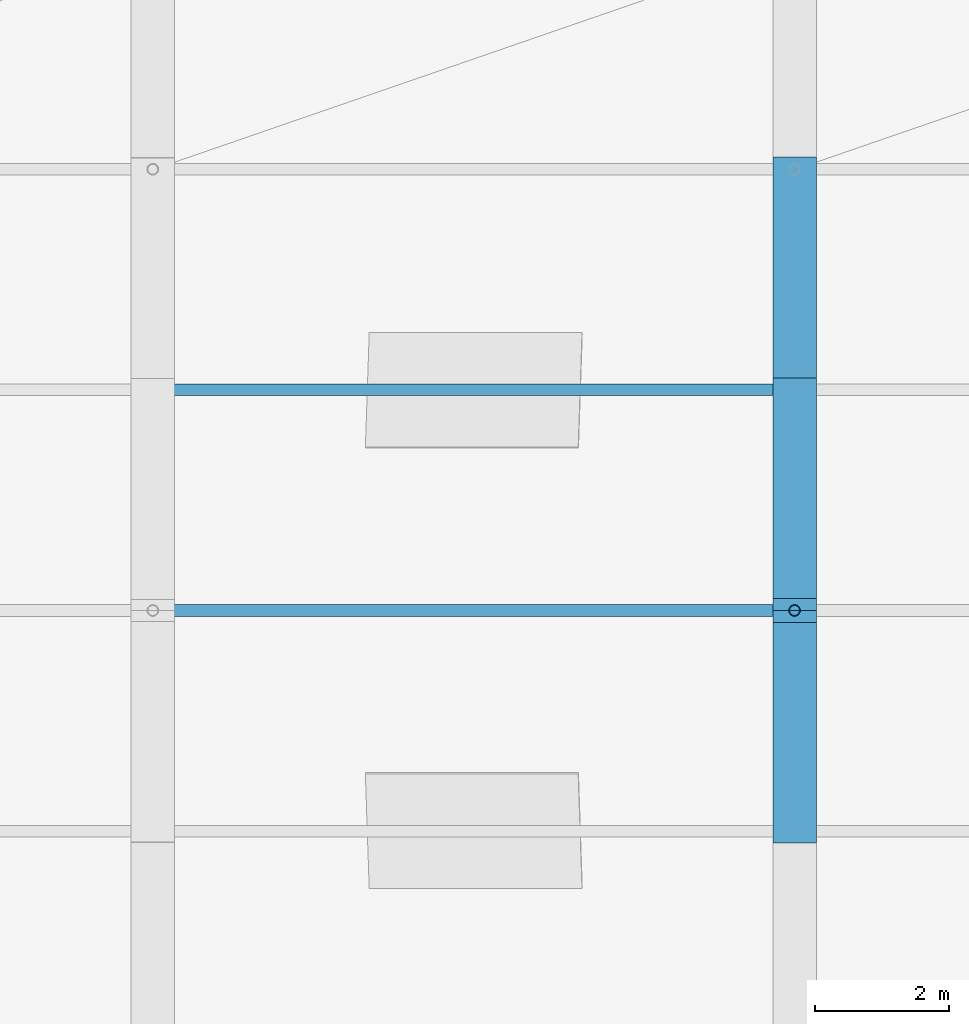
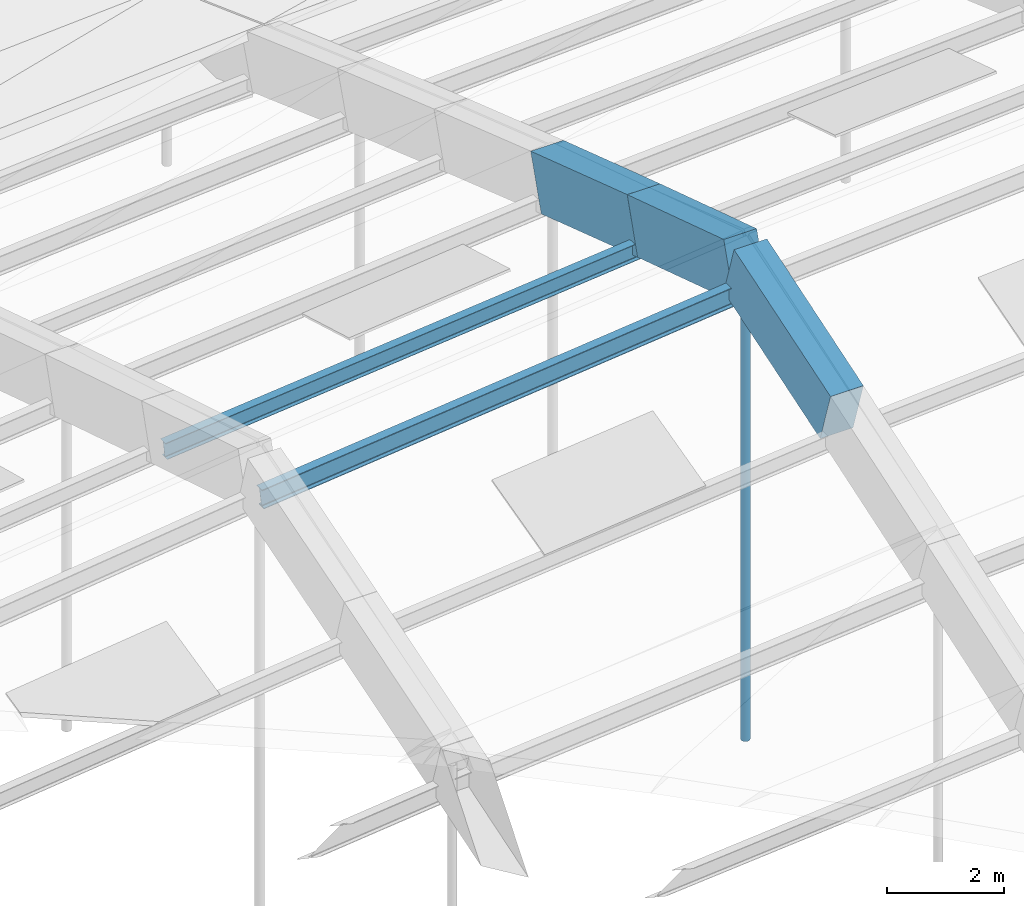
# One storey, part 8 of 43: 3 beams, 3 members.
"""IFC4 building model written with IfcOpenShell, lengths in metres."""

from ifc_helpers import new_model, si_unit, direction, frame, origin, origin_2d, place, context, subcontext, project, spatial, rectangle, hollow_circle, i_section, extrude, material, material_profile, profile_set, type_object, element, save


model = new_model("IFC4")

# Units and contexts
model_context = context("Model", 3, precision=1e-05, world=origin(), true_north=direction((0.0, 1.0)))
body_context = subcontext(model_context, "Body", "Model", "MODEL_VIEW")
ifc_project = project(units=[si_unit("LENGTHUNIT", "METRE"), si_unit("AREAUNIT", "SQUARE_METRE"), si_unit("VOLUMEUNIT", "CUBIC_METRE"), si_unit("PLANEANGLEUNIT", "RADIAN"), si_unit("MASSUNIT", "GRAM", prefix="KILO")], contexts=[model_context])

# Site, building, storey
site_placement = place(None, origin())
site = spatial("IfcSite", under=ifc_project, at=site_placement, CompositionType="ELEMENT")
building_placement = place(site_placement, origin())
building = spatial("IfcBuilding", under=site, at=building_placement, Name="Chalmorin Arch Market", CompositionType="ELEMENT")
storey_placement = place(building_placement, frame((0.0, 0.0, 18.60009765625)))
storey = spatial("IfcBuildingStorey", under=building, at=storey_placement, Name="RF", CompositionType="ELEMENT", Elevation=18.60009765625)

# Member
ifc_material_1 = material(Name="Steel A500 Grade C", Category="steel")
ifc_material_profile_1 = material_profile(ifc_material_1, hollow_circle(Radius=0.084228515625, WallThickness=0.007080078125, at=origin_2d()), Name="CHS168X7")
ifc_profile_set_1 = profile_set([ifc_material_profile_1], Name="Steel A500 Grade C")
member_type_1 = type_object("IfcMemberType", Name="ArchHangerTie-CHS168", PredefinedType="CHORD", material=ifc_profile_set_1)
member_1_placement = place(storey_placement, frame((67.199951171875, 32.39990234375, -2.845458984375), z_axis=(0.0, 0.0, 1.0), x_axis=(1.0, 0.0, 0.0)))
element("IfcMember", 1, at=member_1_placement, inside=storey, type_object=member_type_1, Name="HT-CH168-0145", PredefinedType="CHORD", context=body_context, shape_type="SweptSolid", body=[
    extrude(hollow_circle(Radius=0.084228515625, WallThickness=0.007080078125, at=origin_2d()), origin(), (0.0, 0.0, 1.0), 9.887451171875),
])

# Beams
ifc_material_2 = material(Name="Concrete C50/60", Category="concrete")
ifc_material_profile_2 = material_profile(ifc_material_2, rectangle(XDim=0.64990234375, YDim=1.14990234375, at=origin_2d()), Name="RC650X1150")
ifc_profile_set_2 = profile_set([ifc_material_profile_2], Name="Concrete C50/60")
beam_type = type_object("IfcBeamType", Name="ArchRibChord-650x1150", PredefinedType="BEAM", material=ifc_profile_set_2)
beam_1_placement = place(storey_placement, frame((67.199951171875, 29.10009765625, 5.976806640625), z_axis=(0.0, 0.951646882894, 0.307194092192), x_axis=(-1.0, 0.0, 0.0)))
element("IfcBeam", 2, at=beam_1_placement, inside=storey, type_object=beam_type, Name="AR-01-1630", PredefinedType="BEAM", context=body_context, shape_type="SweptSolid", body=[
    extrude(rectangle(XDim=0.64990234375, YDim=1.14990234375, at=origin_2d()), origin(), (0.0, 0.0, 1.0), 3.467529296875),
])
beam_2_placement = place(storey_placement, frame((67.199951171875, 32.39990234375, 7.0419921875), z_axis=(0.0, 0.95165352659, -0.307173510136), x_axis=(-1.0, 0.0, 0.0)))
element("IfcBeam", 3, at=beam_2_placement, inside=storey, type_object=beam_type, Name="AR-01-1631", PredefinedType="BEAM", context=body_context, shape_type="SweptSolid", body=[
    extrude(rectangle(XDim=0.64990234375, YDim=1.14990234375, at=origin_2d()), origin(), (0.0, 0.0, 1.0), 3.4677734375),
])
beam_3_placement = place(storey_placement, frame((67.199951171875, 35.699951171875, 5.976806640625), z_axis=(0.0, 0.949180689868, -0.314731660279), x_axis=(-1.0, 0.0, 0.0)))
element("IfcBeam", 4, at=beam_3_placement, inside=storey, type_object=beam_type, Name="AR-01-1632", PredefinedType="BEAM", context=body_context, shape_type="SweptSolid", body=[
    extrude(rectangle(XDim=0.64990234375, YDim=1.14990234375, at=origin_2d()), origin(), (0.0, 0.0, 1.0), 3.476806640625),
])

# Members
ifc_material_3 = material(Name="Steel A992 Grade 50", Category="steel")
ifc_material_profile_3 = material_profile(ifc_material_3, i_section(OverallWidth=0.1708984375, OverallDepth=0.35107421875, WebThickness=0.0068359375, FlangeThickness=0.009765625, FilletRadius=0.014892578125, at=origin_2d()), Name="W14X30")
ifc_profile_set_3 = profile_set([ifc_material_profile_3], Name="Steel A992 Grade 50")
member_type_2 = type_object("IfcMemberType", Name="RoofSteelPurlin-W14X30", PredefinedType="PURLIN", material=ifc_profile_set_3)
member_2_placement = place(storey_placement, frame((57.6201171875, 35.699951171875, 4.555908203125), z_axis=(0.995191239387, 0.0, 0.097950993094), x_axis=(0.0, 1.0, 0.0)))
element("IfcMember", 5, at=member_2_placement, inside=storey, type_object=member_type_2, Name="PR-W14-0214", PredefinedType="PURLIN", context=body_context, shape_type="SweptSolid", body=[
    extrude(i_section(OverallWidth=0.1708984375, OverallDepth=0.35107421875, WebThickness=0.0068359375, FlangeThickness=0.009765625, FilletRadius=0.014892578125, at=origin_2d()), origin(), (0.0, 0.0, 1.0), 9.60595703125),
])
ifc_material_profile_4 = material_profile(ifc_material_3, i_section(OverallWidth=0.178955078125, OverallDepth=0.409912109375, WebThickness=0.0087890625, FlangeThickness=0.014404296875, FilletRadius=0.01806640625, at=origin_2d()), Name="W16X45")
ifc_profile_set_4 = profile_set([ifc_material_profile_4], Name="Steel A992 Grade 50")
member_type_3 = type_object("IfcMemberType", Name="RoofSteelPurlin-W16X45", PredefinedType="PURLIN", material=ifc_profile_set_4)
member_3_placement = place(storey_placement, frame((57.6201171875, 32.39990234375, 5.55615234375), z_axis=(0.994510183591, 0.0, 0.104639833399), x_axis=(0.0, 1.0, 0.0)))
element("IfcMember", 6, at=member_3_placement, inside=storey, type_object=member_type_3, Name="PR-W16-0213", PredefinedType="PURLIN", context=body_context, shape_type="SweptSolid", body=[
    extrude(i_section(OverallWidth=0.178955078125, OverallDepth=0.409912109375, WebThickness=0.0087890625, FlangeThickness=0.014404296875, FilletRadius=0.01806640625, at=origin_2d()), origin(), (0.0, 0.0, 1.0), 9.612548828125),
])

save(model, "model.ifc")
